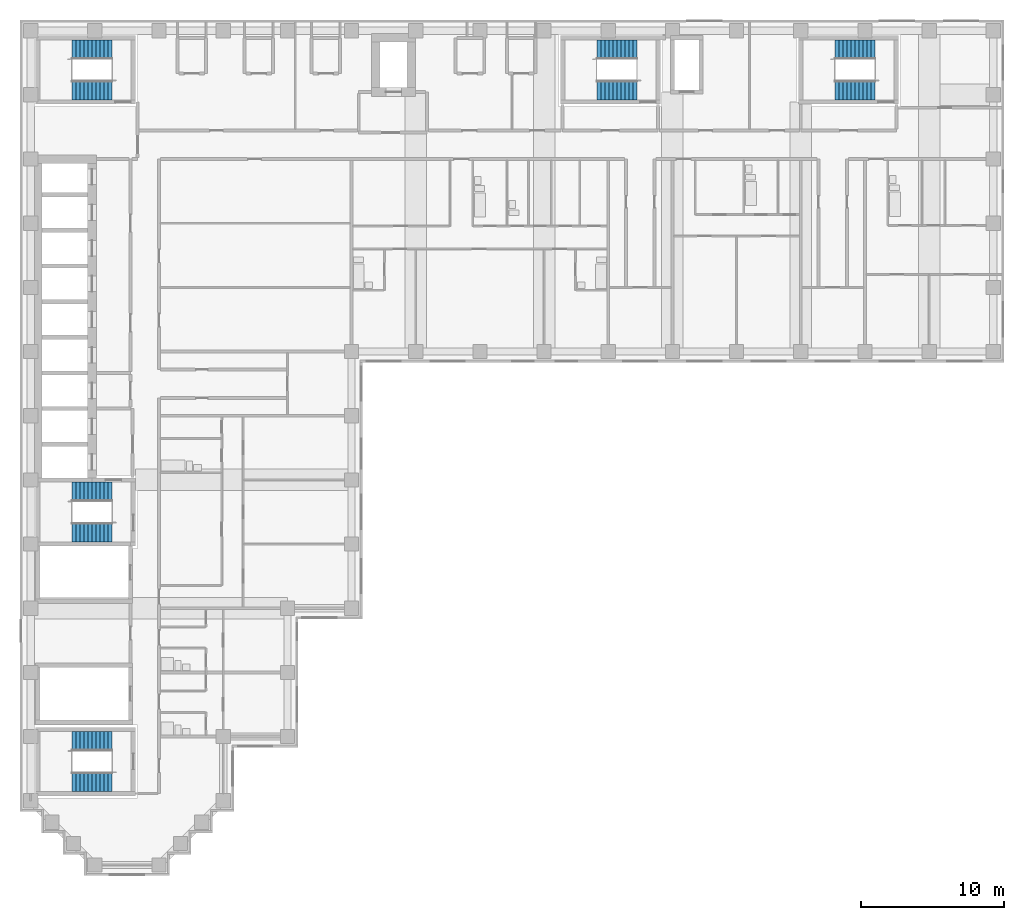
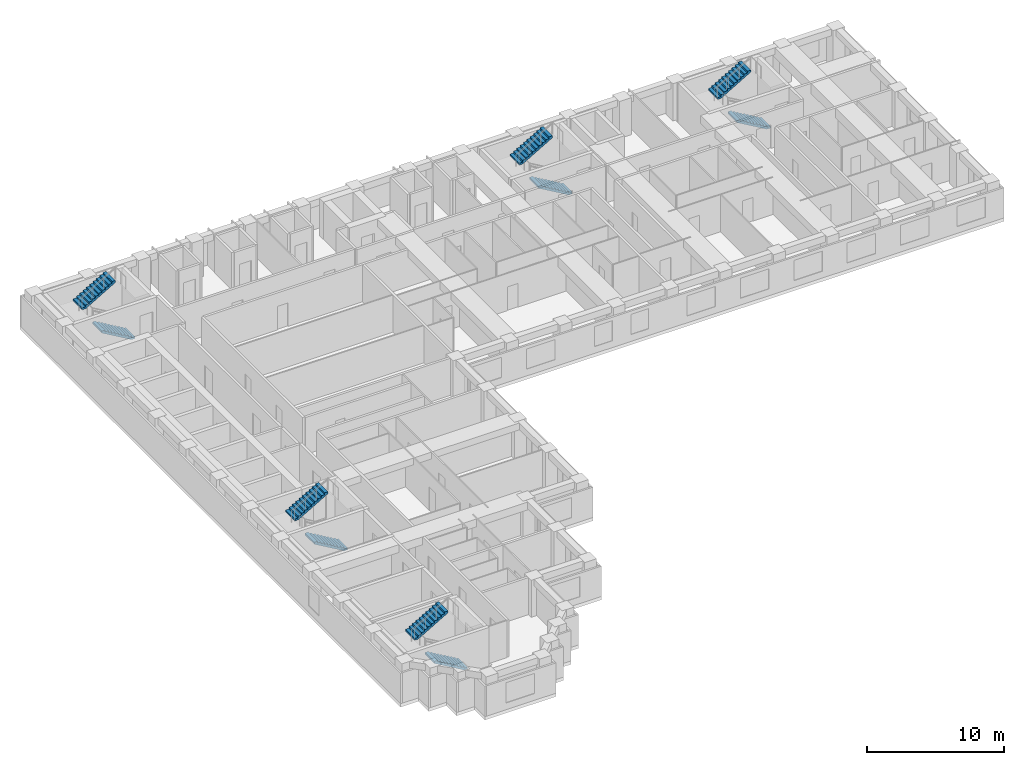
# One storey, part 10 of 12: 10 stair flights, 5 elements without a shape of their own.
"""IFC4 building model written with IfcOpenShell, lengths in metres."""

from ifc_helpers import new_model, si_unit, direction, frame, origin, place, context, subcontext, project, spatial, polyline, outline, extrude, material, type_object, element, aggregate, save


model = new_model("IFC4")

# Units and contexts
model_context = context("Model", 3, precision=1e-05, world=origin(), true_north=direction((0.0, 1.0)))
body_context = subcontext(model_context, "Body", "Model", "MODEL_VIEW")
ifc_project = project(units=[si_unit("LENGTHUNIT", "METRE"), si_unit("AREAUNIT", "SQUARE_METRE"), si_unit("VOLUMEUNIT", "CUBIC_METRE"), si_unit("PLANEANGLEUNIT", "RADIAN"), si_unit("MASSUNIT", "GRAM", prefix="KILO")], contexts=[model_context])

# Site, building, storey
site_placement = place(None, origin())
site = spatial("IfcSite", under=ifc_project, at=site_placement, CompositionType="ELEMENT")
building_placement = place(site_placement, origin())
building = spatial("IfcBuilding", under=site, at=building_placement, Name="Firuza Court", CompositionType="ELEMENT")
storey_placement = place(building_placement, frame((0.0, 0.0, 166.39990234375)))
storey = spatial("IfcBuildingStorey", under=building, at=storey_placement, Name="L42", CompositionType="ELEMENT", Elevation=166.39990234375)

# Stair, stair flights
ifc_material_1 = material(Name="Concrete C40/50 precast", Category="concrete")
stair_type = type_object("IfcStairType", Name="Stair 1350 x 3600 2 flights", PredefinedType="HALF_TURN_STAIR", material=ifc_material_1)
stair_1_placement = place(storey_placement, origin())
stair_1 = element("IfcStair", 1, at=stair_1_placement, inside=storey, type_object=stair_type, Name="Stair 1 L42", PredefinedType="HALF_TURN_STAIR")
ifc_material_2 = material(Name="Concrete C40/50 precast", Category="concrete")
stair_flight_type = type_object("IfcStairFlightType", Name="Flight 1350 riser 163.6", PredefinedType="STRAIGHT", material=ifc_material_2)
stair_flight_1_placement = place(storey_placement, frame((42.5, 54.324951171875, 0.0), z_axis=(0.0, 0.0, 1.0), x_axis=(-1.0, 0.0, 0.0)))
stair_flight_1 = element("IfcStairFlight", 2, at=stair_flight_1_placement, type_object=stair_flight_type, Name="S1 flight 1", NumberOfRisers=11, NumberOfTreads=10, PredefinedType="STRAIGHT", RiserHeight=0.163636364, TreadLength=0.28, context=body_context, shape_type="SweptSolid", body=[
    extrude(outline(polyline([(0.0, 0.0), (0.0, 0.16357421875), (0.280029296875, 0.16357421875), (0.280029296875, 0.327392578125), (0.56005859375, 0.327392578125), (0.56005859375, 0.490966796875), (0.840087890625, 0.490966796875), (0.840087890625, 0.654541015625), (1.1201171875, 0.654541015625), (1.1201171875, 0.818115234375), (1.39990234375, 0.818115234375), (1.39990234375, 0.98193359375), (1.679931640625, 0.98193359375), (1.679931640625, 1.1455078125), (1.9599609375, 1.1455078125), (1.9599609375, 1.30908203125), (2.239990234375, 1.30908203125), (2.239990234375, 1.47265625), (2.52001953125, 1.47265625), (2.52001953125, 1.636474609375), (2.800048828125, 1.636474609375), (2.800048828125, 1.800048828125), (2.800048828125, 1.462646484375), (0.297119140625, 0.0), (0.0, 0.0)])), frame((0.0, 0.675048828125, 0.0), z_axis=(0.0, -1.0, 0.0), x_axis=(1.0, 0.0, 0.0)), (0.0, 0.0, 1.0), 1.35009765625),
])
stair_flight_2_placement = place(storey_placement, frame((39.699951171875, 57.175048828125, 1.800048828125), z_axis=(0.0, 0.0, 1.0), x_axis=(1.0, 0.0, 0.0)))
stair_flight_2 = element("IfcStairFlight", 3, at=stair_flight_2_placement, type_object=stair_flight_type, Name="S1 flight 2", NumberOfRisers=11, NumberOfTreads=10, PredefinedType="STRAIGHT", RiserHeight=0.163636364, TreadLength=0.28, context=body_context, shape_type="SweptSolid", body=[
    extrude(outline(polyline([(0.0, 0.0), (0.0, 0.16357421875), (0.280029296875, 0.16357421875), (0.280029296875, 0.327392578125), (0.56005859375, 0.327392578125), (0.56005859375, 0.490966796875), (0.840087890625, 0.490966796875), (0.840087890625, 0.654541015625), (1.1201171875, 0.654541015625), (1.1201171875, 0.818115234375), (1.39990234375, 0.818115234375), (1.39990234375, 0.98193359375), (1.679931640625, 0.98193359375), (1.679931640625, 1.1455078125), (1.9599609375, 1.1455078125), (1.9599609375, 1.30908203125), (2.239990234375, 1.30908203125), (2.239990234375, 1.47265625), (2.52001953125, 1.47265625), (2.52001953125, 1.636474609375), (2.800048828125, 1.636474609375), (2.800048828125, 1.800048828125), (2.800048828125, 1.462646484375), (0.297119140625, 0.0), (0.0, 0.0)])), frame((0.0, 0.675048828125, 0.0), z_axis=(0.0, -1.0, 0.0), x_axis=(1.0, 0.0, 0.0)), (0.0, 0.0, 1.0), 1.35009765625),
])
aggregate(stair_1, [stair_flight_1, stair_flight_2])

stair_2_placement = place(storey_placement, origin())
stair_2 = element("IfcStair", 4, at=stair_2_placement, inside=storey, type_object=stair_type, Name="Stair 2 L42", PredefinedType="HALF_TURN_STAIR")
stair_flight_3_placement = place(storey_placement, frame((5.699951171875, 23.324951171875, 0.0), z_axis=(0.0, 0.0, 1.0), x_axis=(-1.0, 0.0, 0.0)))
stair_flight_3 = element("IfcStairFlight", 5, at=stair_flight_3_placement, type_object=stair_flight_type, Name="S2 flight 1", NumberOfRisers=11, NumberOfTreads=10, PredefinedType="STRAIGHT", RiserHeight=0.163636364, TreadLength=0.28, context=body_context, shape_type="SweptSolid", body=[
    extrude(outline(polyline([(0.0, 0.0), (0.0, 0.16357421875), (0.280029296875, 0.16357421875), (0.280029296875, 0.327392578125), (0.56005859375, 0.327392578125), (0.56005859375, 0.490966796875), (0.840087890625, 0.490966796875), (0.840087890625, 0.654541015625), (1.1201171875, 0.654541015625), (1.1201171875, 0.818115234375), (1.39990234375, 0.818115234375), (1.39990234375, 0.98193359375), (1.679931640625, 0.98193359375), (1.679931640625, 1.1455078125), (1.9599609375, 1.1455078125), (1.9599609375, 1.30908203125), (2.239990234375, 1.30908203125), (2.239990234375, 1.47265625), (2.52001953125, 1.47265625), (2.52001953125, 1.636474609375), (2.800048828125, 1.636474609375), (2.800048828125, 1.800048828125), (2.800048828125, 1.462646484375), (0.297119140625, 0.0), (0.0, 0.0)])), frame((0.0, 0.675048828125, 0.0), z_axis=(0.0, -1.0, 0.0), x_axis=(1.0, 0.0, 0.0)), (0.0, 0.0, 1.0), 1.35009765625),
])
stair_flight_4_placement = place(storey_placement, frame((2.89990234375, 26.175048828125, 1.800048828125), z_axis=(0.0, 0.0, 1.0), x_axis=(1.0, 0.0, 0.0)))
stair_flight_4 = element("IfcStairFlight", 6, at=stair_flight_4_placement, type_object=stair_flight_type, Name="S2 flight 2", NumberOfRisers=11, NumberOfTreads=10, PredefinedType="STRAIGHT", RiserHeight=0.163636364, TreadLength=0.28, context=body_context, shape_type="SweptSolid", body=[
    extrude(outline(polyline([(0.0, 0.0), (0.0, 0.16357421875), (0.280029296875, 0.16357421875), (0.280029296875, 0.327392578125), (0.56005859375, 0.327392578125), (0.56005859375, 0.490966796875), (0.840087890625, 0.490966796875), (0.840087890625, 0.654541015625), (1.1201171875, 0.654541015625), (1.1201171875, 0.818115234375), (1.39990234375, 0.818115234375), (1.39990234375, 0.98193359375), (1.679931640625, 0.98193359375), (1.679931640625, 1.1455078125), (1.9599609375, 1.1455078125), (1.9599609375, 1.30908203125), (2.239990234375, 1.30908203125), (2.239990234375, 1.47265625), (2.52001953125, 1.47265625), (2.52001953125, 1.636474609375), (2.800048828125, 1.636474609375), (2.800048828125, 1.800048828125), (2.800048828125, 1.462646484375), (0.297119140625, 0.0), (0.0, 0.0)])), frame((0.0, 0.675048828125, 0.0), z_axis=(0.0, -1.0, 0.0), x_axis=(1.0, 0.0, 0.0)), (0.0, 0.0, 1.0), 1.35009765625),
])
aggregate(stair_2, [stair_flight_3, stair_flight_4])

stair_3_placement = place(storey_placement, origin())
stair_3 = element("IfcStair", 7, at=stair_3_placement, inside=storey, type_object=stair_type, Name="Stair 3 L42", PredefinedType="HALF_TURN_STAIR")
stair_flight_5_placement = place(storey_placement, frame((5.699951171875, 54.324951171875, 0.0), z_axis=(0.0, 0.0, 1.0), x_axis=(-1.0, 0.0, 0.0)))
stair_flight_5 = element("IfcStairFlight", 8, at=stair_flight_5_placement, type_object=stair_flight_type, Name="S3 flight 1", NumberOfRisers=11, NumberOfTreads=10, PredefinedType="STRAIGHT", RiserHeight=0.163636364, TreadLength=0.28, context=body_context, shape_type="SweptSolid", body=[
    extrude(outline(polyline([(0.0, 0.0), (0.0, 0.16357421875), (0.280029296875, 0.16357421875), (0.280029296875, 0.327392578125), (0.56005859375, 0.327392578125), (0.56005859375, 0.490966796875), (0.840087890625, 0.490966796875), (0.840087890625, 0.654541015625), (1.1201171875, 0.654541015625), (1.1201171875, 0.818115234375), (1.39990234375, 0.818115234375), (1.39990234375, 0.98193359375), (1.679931640625, 0.98193359375), (1.679931640625, 1.1455078125), (1.9599609375, 1.1455078125), (1.9599609375, 1.30908203125), (2.239990234375, 1.30908203125), (2.239990234375, 1.47265625), (2.52001953125, 1.47265625), (2.52001953125, 1.636474609375), (2.800048828125, 1.636474609375), (2.800048828125, 1.800048828125), (2.800048828125, 1.462646484375), (0.297119140625, 0.0), (0.0, 0.0)])), frame((0.0, 0.675048828125, 0.0), z_axis=(0.0, -1.0, 0.0), x_axis=(1.0, 0.0, 0.0)), (0.0, 0.0, 1.0), 1.35009765625),
])
stair_flight_6_placement = place(storey_placement, frame((2.89990234375, 57.175048828125, 1.800048828125), z_axis=(0.0, 0.0, 1.0), x_axis=(1.0, 0.0, 0.0)))
stair_flight_6 = element("IfcStairFlight", 9, at=stair_flight_6_placement, type_object=stair_flight_type, Name="S3 flight 2", NumberOfRisers=11, NumberOfTreads=10, PredefinedType="STRAIGHT", RiserHeight=0.163636364, TreadLength=0.28, context=body_context, shape_type="SweptSolid", body=[
    extrude(outline(polyline([(0.0, 0.0), (0.0, 0.16357421875), (0.280029296875, 0.16357421875), (0.280029296875, 0.327392578125), (0.56005859375, 0.327392578125), (0.56005859375, 0.490966796875), (0.840087890625, 0.490966796875), (0.840087890625, 0.654541015625), (1.1201171875, 0.654541015625), (1.1201171875, 0.818115234375), (1.39990234375, 0.818115234375), (1.39990234375, 0.98193359375), (1.679931640625, 0.98193359375), (1.679931640625, 1.1455078125), (1.9599609375, 1.1455078125), (1.9599609375, 1.30908203125), (2.239990234375, 1.30908203125), (2.239990234375, 1.47265625), (2.52001953125, 1.47265625), (2.52001953125, 1.636474609375), (2.800048828125, 1.636474609375), (2.800048828125, 1.800048828125), (2.800048828125, 1.462646484375), (0.297119140625, 0.0), (0.0, 0.0)])), frame((0.0, 0.675048828125, 0.0), z_axis=(0.0, -1.0, 0.0), x_axis=(1.0, 0.0, 0.0)), (0.0, 0.0, 1.0), 1.35009765625),
])
aggregate(stair_3, [stair_flight_5, stair_flight_6])

stair_4_placement = place(storey_placement, origin())
stair_4 = element("IfcStair", 10, at=stair_4_placement, inside=storey, type_object=stair_type, Name="Stair 4 L42", PredefinedType="HALF_TURN_STAIR")
stair_flight_7_placement = place(storey_placement, frame((59.199951171875, 54.324951171875, 0.0), z_axis=(0.0, 0.0, 1.0), x_axis=(-1.0, 0.0, 0.0)))
stair_flight_7 = element("IfcStairFlight", 11, at=stair_flight_7_placement, type_object=stair_flight_type, Name="S4 flight 1", NumberOfRisers=11, NumberOfTreads=10, PredefinedType="STRAIGHT", RiserHeight=0.163636364, TreadLength=0.28, context=body_context, shape_type="SweptSolid", body=[
    extrude(outline(polyline([(0.0, 0.0), (0.0, 0.16357421875), (0.280029296875, 0.16357421875), (0.280029296875, 0.327392578125), (0.56005859375, 0.327392578125), (0.56005859375, 0.490966796875), (0.840087890625, 0.490966796875), (0.840087890625, 0.654541015625), (1.1201171875, 0.654541015625), (1.1201171875, 0.818115234375), (1.39990234375, 0.818115234375), (1.39990234375, 0.98193359375), (1.679931640625, 0.98193359375), (1.679931640625, 1.1455078125), (1.9599609375, 1.1455078125), (1.9599609375, 1.30908203125), (2.239990234375, 1.30908203125), (2.239990234375, 1.47265625), (2.52001953125, 1.47265625), (2.52001953125, 1.636474609375), (2.800048828125, 1.636474609375), (2.800048828125, 1.800048828125), (2.800048828125, 1.462646484375), (0.297119140625, 0.0), (0.0, 0.0)])), frame((0.0, 0.675048828125, 0.0), z_axis=(0.0, -1.0, 0.0), x_axis=(1.0, 0.0, 0.0)), (0.0, 0.0, 1.0), 1.35009765625),
])
stair_flight_8_placement = place(storey_placement, frame((56.39990234375, 57.175048828125, 1.800048828125), z_axis=(0.0, 0.0, 1.0), x_axis=(1.0, 0.0, 0.0)))
stair_flight_8 = element("IfcStairFlight", 12, at=stair_flight_8_placement, type_object=stair_flight_type, Name="S4 flight 2", NumberOfRisers=11, NumberOfTreads=10, PredefinedType="STRAIGHT", RiserHeight=0.163636364, TreadLength=0.28, context=body_context, shape_type="SweptSolid", body=[
    extrude(outline(polyline([(0.0, 0.0), (0.0, 0.16357421875), (0.280029296875, 0.16357421875), (0.280029296875, 0.327392578125), (0.56005859375, 0.327392578125), (0.56005859375, 0.490966796875), (0.840087890625, 0.490966796875), (0.840087890625, 0.654541015625), (1.1201171875, 0.654541015625), (1.1201171875, 0.818115234375), (1.39990234375, 0.818115234375), (1.39990234375, 0.98193359375), (1.679931640625, 0.98193359375), (1.679931640625, 1.1455078125), (1.9599609375, 1.1455078125), (1.9599609375, 1.30908203125), (2.239990234375, 1.30908203125), (2.239990234375, 1.47265625), (2.52001953125, 1.47265625), (2.52001953125, 1.636474609375), (2.800048828125, 1.636474609375), (2.800048828125, 1.800048828125), (2.800048828125, 1.462646484375), (0.297119140625, 0.0), (0.0, 0.0)])), frame((0.0, 0.675048828125, 0.0), z_axis=(0.0, -1.0, 0.0), x_axis=(1.0, 0.0, 0.0)), (0.0, 0.0, 1.0), 1.35009765625),
])
aggregate(stair_4, [stair_flight_7, stair_flight_8])

stair_5_placement = place(storey_placement, origin())
stair_5 = element("IfcStair", 13, at=stair_5_placement, inside=storey, type_object=stair_type, Name="Stair 5 L42", PredefinedType="HALF_TURN_STAIR")
stair_flight_9_placement = place(storey_placement, frame((5.699951171875, 5.824951171875, 0.0), z_axis=(0.0, 0.0, 1.0), x_axis=(-1.0, 0.0, 0.0)))
stair_flight_9 = element("IfcStairFlight", 14, at=stair_flight_9_placement, type_object=stair_flight_type, Name="S5 flight 1", NumberOfRisers=11, NumberOfTreads=10, PredefinedType="STRAIGHT", RiserHeight=0.163636364, TreadLength=0.28, context=body_context, shape_type="SweptSolid", body=[
    extrude(outline(polyline([(0.0, 0.0), (0.0, 0.16357421875), (0.280029296875, 0.16357421875), (0.280029296875, 0.327392578125), (0.56005859375, 0.327392578125), (0.56005859375, 0.490966796875), (0.840087890625, 0.490966796875), (0.840087890625, 0.654541015625), (1.1201171875, 0.654541015625), (1.1201171875, 0.818115234375), (1.39990234375, 0.818115234375), (1.39990234375, 0.98193359375), (1.679931640625, 0.98193359375), (1.679931640625, 1.1455078125), (1.9599609375, 1.1455078125), (1.9599609375, 1.30908203125), (2.239990234375, 1.30908203125), (2.239990234375, 1.47265625), (2.52001953125, 1.47265625), (2.52001953125, 1.636474609375), (2.800048828125, 1.636474609375), (2.800048828125, 1.800048828125), (2.800048828125, 1.462646484375), (0.297119140625, 0.0), (0.0, 0.0)])), frame((0.0, 0.675048828125, 0.0), z_axis=(0.0, -1.0, 0.0), x_axis=(1.0, 0.0, 0.0)), (0.0, 0.0, 1.0), 1.35009765625),
])
stair_flight_10_placement = place(storey_placement, frame((2.89990234375, 8.675048828125, 1.800048828125), z_axis=(0.0, 0.0, 1.0), x_axis=(1.0, 0.0, 0.0)))
stair_flight_10 = element("IfcStairFlight", 15, at=stair_flight_10_placement, type_object=stair_flight_type, Name="S5 flight 2", NumberOfRisers=11, NumberOfTreads=10, PredefinedType="STRAIGHT", RiserHeight=0.163636364, TreadLength=0.28, context=body_context, shape_type="SweptSolid", body=[
    extrude(outline(polyline([(0.0, 0.0), (0.0, 0.16357421875), (0.280029296875, 0.16357421875), (0.280029296875, 0.327392578125), (0.56005859375, 0.327392578125), (0.56005859375, 0.490966796875), (0.840087890625, 0.490966796875), (0.840087890625, 0.654541015625), (1.1201171875, 0.654541015625), (1.1201171875, 0.818115234375), (1.39990234375, 0.818115234375), (1.39990234375, 0.98193359375), (1.679931640625, 0.98193359375), (1.679931640625, 1.1455078125), (1.9599609375, 1.1455078125), (1.9599609375, 1.30908203125), (2.239990234375, 1.30908203125), (2.239990234375, 1.47265625), (2.52001953125, 1.47265625), (2.52001953125, 1.636474609375), (2.800048828125, 1.636474609375), (2.800048828125, 1.800048828125), (2.800048828125, 1.462646484375), (0.297119140625, 0.0), (0.0, 0.0)])), frame((0.0, 0.675048828125, 0.0), z_axis=(0.0, -1.0, 0.0), x_axis=(1.0, 0.0, 0.0)), (0.0, 0.0, 1.0), 1.35009765625),
])
aggregate(stair_5, [stair_flight_9, stair_flight_10])

save(model, "model.ifc")
